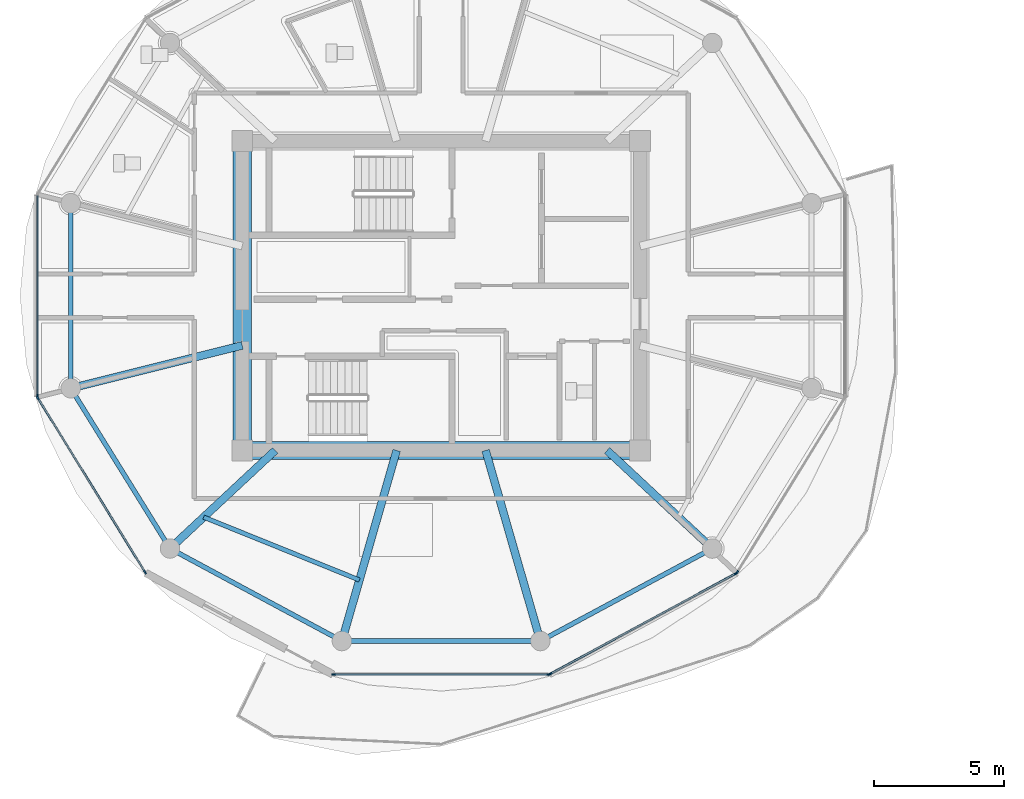
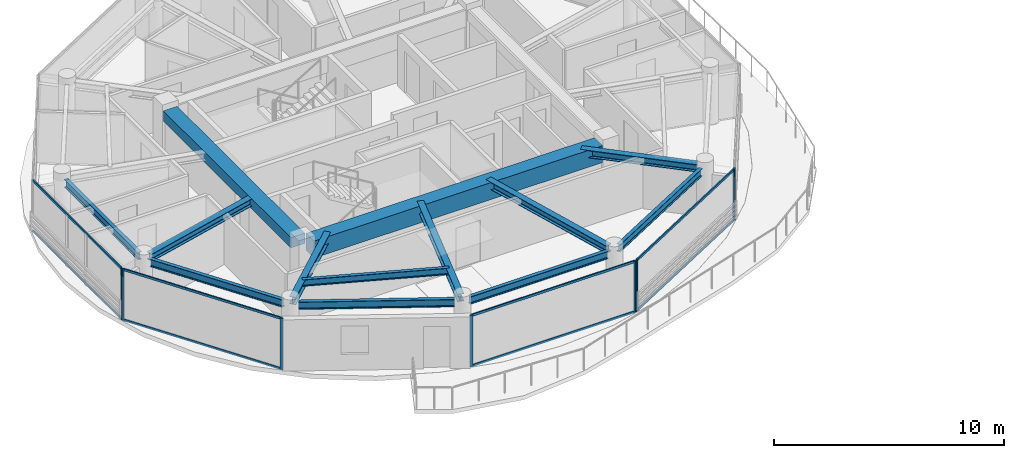
# One storey, part 2 of 21: 16 members, 13 beams, 5 elements without a shape of their own.
"""IFC4 building model written with IfcOpenShell, lengths in metres."""

from ifc_helpers import new_model, si_unit, direction, frame, origin, origin_2d, place, context, subcontext, project, spatial, rectangle, i_section, extrude, source, transform, mapped, material, layer, layer_set, material_profile, profile_set, type_object, type_shapes, element, aggregate, save


model = new_model("IFC4")

# Units and contexts
model_context = context("Model", 3, precision=1e-05, world=origin(), true_north=direction((0.0, 1.0)))
body_context = subcontext(model_context, "Body", "Model", "MODEL_VIEW")
ifc_project = project(units=[si_unit("LENGTHUNIT", "METRE"), si_unit("AREAUNIT", "SQUARE_METRE"), si_unit("VOLUMEUNIT", "CUBIC_METRE"), si_unit("PLANEANGLEUNIT", "RADIAN"), si_unit("MASSUNIT", "GRAM", prefix="KILO")], contexts=[model_context])

# Site, building, storey
site_placement = place(None, origin())
site = spatial("IfcSite", under=ifc_project, at=site_placement, CompositionType="ELEMENT")
building_placement = place(site_placement, origin())
building = spatial("IfcBuilding", under=site, at=building_placement, Name="Norrkilde Senior Care Towers", CompositionType="ELEMENT")
storey_placement = place(building_placement, frame((0.0, 0.0, 241.35009765625)))
storey = spatial("IfcBuildingStorey", under=building, at=storey_placement, Name="L75", CompositionType="ELEMENT", Elevation=241.35009765625)

# Beams
ifc_material_1 = material(Name="Concrete C60/75", Category="concrete")
ifc_material_profile_1 = material_profile(ifc_material_1, rectangle(XDim=0.699951171875, YDim=0.89990234375, at=origin_2d()), Name="RC BM 700x900")
ifc_profile_set_1 = profile_set([ifc_material_profile_1], Name="Concrete C60/75")
beam_type_1 = type_object("IfcBeamType", Name="Core Coupling Girder 700x900", PredefinedType="USERDEFINED", material=ifc_profile_set_1)
shared_shape_1 = source(origin(), body_context, "Body", "SweptSolid", [
    extrude(rectangle(XDim=0.699951171875, YDim=0.89990234375, at=origin_2d()), origin(), (0.0, 0.0, 1.0), 14.5400390625),
])
type_shapes(beam_type_1, [shared_shape_1])
beam_1_placement = place(storey_placement, frame((-35.27001953125, -5.949951171875, 2.27978515625), z_axis=(1.0, 0.0, 0.0), x_axis=(0.0, 1.0, 0.0)))
element("IfcBeam", 1, at=beam_1_placement, inside=storey, type_object=beam_type_1, Name="L75 Core W S Coupling Girder", ObjectType="GIRDER", PredefinedType="USERDEFINED", context=body_context, shape_type="MappedRepresentation", body=[
    mapped(shared_shape_1, transform((0.0, 0.0, 0.0), x_axis=(1.0, 0.0, 0.0), y_axis=(0.0, 1.0, 0.0), z_axis=(0.0, 0.0, 1.0), scale=1.0)),
])
ifc_material_profile_2 = material_profile(ifc_material_1, rectangle(XDim=0.699951171875, YDim=0.550048828125, at=origin_2d()), Name="RC BM 700x550")
ifc_profile_set_2 = profile_set([ifc_material_profile_2], Name="Concrete C60/75")
beam_type_2 = type_object("IfcBeamType", Name="Core Portal Coupling Beam 700x550", PredefinedType="USERDEFINED", material=ifc_profile_set_2)
shared_shape_2 = source(origin(), body_context, "Body", "SweptSolid", [
    extrude(rectangle(XDim=0.699951171875, YDim=0.550048828125, at=origin_2d()), origin(), (0.0, 0.0, 1.0), 11.14013671875),
])
type_shapes(beam_type_2, [shared_shape_2])
beam_2_placement = place(storey_placement, frame((-35.64990234375, -5.570068359375, 2.454833984375), z_axis=(0.0, 1.0, 0.0), x_axis=(-1.0, 0.0, 0.0)))
element("IfcBeam", 2, at=beam_2_placement, inside=storey, type_object=beam_type_2, Name="L75 Core W W Coupling Girder", ObjectType="GIRDER", PredefinedType="USERDEFINED", context=body_context, shape_type="MappedRepresentation", body=[
    mapped(shared_shape_2, transform((0.0, 0.0, 0.0), x_axis=(1.0, 0.0, 0.0), y_axis=(0.0, 1.0, 0.0), z_axis=(0.0, 0.0, 1.0), scale=1.0)),
])
ifc_material_2 = material(Name="Steel S355", Category="steel")
ifc_material_profile_3 = material_profile(ifc_material_2, i_section(OverallWidth=0.179931640625, OverallDepth=0.39990234375, WebThickness=0.008544921875, FlangeThickness=0.013427734375, FilletRadius=0.02099609375, at=origin_2d()), Name="IPE 400")
ifc_profile_set_3 = profile_set([ifc_material_profile_3], Name="Steel S355")
beam_type_3 = type_object("IfcBeamType", Name="Perimeter Ring Spandrel Z4 IPE400", PredefinedType="SPANDREL", material=ifc_profile_set_3)
shared_shape_3 = source(origin(), body_context, "Body", "SweptSolid", [
    extrude(i_section(OverallWidth=0.179931640625, OverallDepth=0.39990234375, WebThickness=0.008544921875, FlangeThickness=0.013427734375, FilletRadius=0.02099609375, at=origin_2d()), origin(), (0.0, 0.0, 1.0), 6.58056640625),
])
beam_3_placement = place(storey_placement, frame((-42.071044921875, -3.843505859375, 2.52978515625), z_axis=(0.526529583789, -0.850156807533, 0.0), x_axis=(0.850156807533, 0.526529583789, 0.0)))
element("IfcBeam", 3, at=beam_3_placement, inside=storey, type_object=beam_type_3, Name="L75 Drum W Perimeter Spandrel 07", PredefinedType="SPANDREL", context=body_context, shape_type="MappedRepresentation", body=[
    mapped(shared_shape_3, transform((0.0, 0.0, 0.0), x_axis=(1.0, 0.0, 0.0), y_axis=(0.0, 1.0, 0.0), z_axis=(0.0, 0.0, 1.0), scale=1.0)),
])
ifc_material_profile_4 = material_profile(ifc_material_2, i_section(OverallWidth=0.300048828125, OverallDepth=0.39990234375, WebThickness=0.013427734375, FlangeThickness=0.02392578125, FilletRadius=0.027099609375, at=origin_2d()), Name="HEB 400")
ifc_profile_set_4 = profile_set([ifc_material_profile_4], Name="Steel S355")
beam_type_4 = type_object("IfcBeamType", Name="Radial Floor Beam Z4 HEB400", PredefinedType="BEAM", material=ifc_profile_set_4)
shared_shape_4 = source(origin(), body_context, "Body", "SweptSolid", [
    extrude(i_section(OverallWidth=0.300048828125, OverallDepth=0.39990234375, WebThickness=0.013427734375, FlangeThickness=0.02392578125, FilletRadius=0.027099609375, at=origin_2d()), origin(), (0.0, 0.0, 1.0), 6.465087890625),
])
beam_4_placement = place(storey_placement, frame((-35.64990234375, -1.910888671875, 2.52978515625), z_axis=(-0.970195788563, -0.242322371758, 0.0), x_axis=(0.242322371758, -0.970195788563, 0.0)))
element("IfcBeam", 4, at=beam_4_placement, inside=storey, type_object=beam_type_4, Name="L75 Drum W Radial Floor Beam 07", PredefinedType="BEAM", context=body_context, shape_type="MappedRepresentation", body=[
    mapped(shared_shape_4, transform((0.0, 0.0, 0.0), x_axis=(1.0, 0.0, 0.0), y_axis=(0.0, 1.0, 0.0), z_axis=(0.0, 0.0, 1.0), scale=1.0)),
])
shared_shape_5 = source(origin(), body_context, "Body", "SweptSolid", [
    extrude(i_section(OverallWidth=0.179931640625, OverallDepth=0.39990234375, WebThickness=0.008544921875, FlangeThickness=0.013427734375, FilletRadius=0.02099609375, at=origin_2d()), origin(), (0.0, 0.0, 1.0), 6.839111328125),
])
for number, where, z_axis, x_axis, name in (
    (5, (-38.134765625, -9.881591796875, 2.52978515625), (0.880563930732, -0.473927382511, 0.0), (0.473927382511, 0.880563930732, 0.0), "L75 Drum W Perimeter Spandrel 08"),
    (6, (-23.887451171875, -13.122802734375, 2.52978515625), (0.880563930732, 0.473927382511, 0.0), (-0.473927382511, 0.880563930732, 0.0), "L75 Drum W Perimeter Spandrel 10"),
):
    element("IfcBeam", number, at=place(storey_placement, frame(where, z_axis=z_axis, x_axis=x_axis)), inside=storey, type_object=beam_type_3, Name=name, PredefinedType="SPANDREL", context=body_context, shape_type="MappedRepresentation", body=[
        mapped(shared_shape_5, transform((0.0, 0.0, 0.0), x_axis=(1.0, 0.0, 0.0), y_axis=(0.0, 1.0, 0.0), z_axis=(0.0, 0.0, 1.0), scale=1.0)),
    ])
shared_shape_6 = source(origin(), body_context, "Body", "SweptSolid", [
    extrude(i_section(OverallWidth=0.300048828125, OverallDepth=0.39990234375, WebThickness=0.013427734375, FlangeThickness=0.02392578125, FilletRadius=0.027099609375, at=origin_2d()), origin(), (0.0, 0.0, 1.0), 5.197998046875),
])
for number, where, z_axis, x_axis, name in (
    (7, (-34.3828125, -5.949951171875, 2.52978515625), (-0.731448749334, -0.681896419625, 0.0), (0.681896419625, -0.731448749334, 0.0), "L75 Drum W Radial Floor Beam 08"),
    (8, (-21.6171875, -5.949951171875, 2.52978515625), (0.731448749334, -0.681896419625, 0.0), (0.681896419625, 0.731448749334, 0.0), "L75 Drum W Radial Floor Beam 11"),
):
    element("IfcBeam", number, at=place(storey_placement, frame(where, z_axis=z_axis, x_axis=x_axis)), inside=storey, type_object=beam_type_4, Name=name, PredefinedType="BEAM", context=body_context, shape_type="MappedRepresentation", body=[
        mapped(shared_shape_6, transform((0.0, 0.0, 0.0), x_axis=(1.0, 0.0, 0.0), y_axis=(0.0, 1.0, 0.0), z_axis=(0.0, 0.0, 1.0), scale=1.0)),
    ])
shared_shape_7 = source(origin(), body_context, "Body", "SweptSolid", [
    extrude(i_section(OverallWidth=0.179931640625, OverallDepth=0.39990234375, WebThickness=0.008544921875, FlangeThickness=0.013427734375, FilletRadius=0.02099609375, at=origin_2d()), origin(), (0.0, 0.0, 1.0), 6.96533203125),
])
beam_5_placement = place(storey_placement, frame((-31.482666015625, -13.281494140625, 2.52978515625), z_axis=(1.0, 0.0, 0.0), x_axis=(0.0, 1.0, 0.0)))
element("IfcBeam", 9, at=beam_5_placement, inside=storey, type_object=beam_type_3, Name="L75 Drum W Perimeter Spandrel 09", PredefinedType="SPANDREL", context=body_context, shape_type="MappedRepresentation", body=[
    mapped(shared_shape_7, transform((0.0, 0.0, 0.0), x_axis=(1.0, 0.0, 0.0), y_axis=(0.0, 1.0, 0.0), z_axis=(0.0, 0.0, 1.0), scale=1.0)),
])
shared_shape_8 = source(origin(), body_context, "Body", "SweptSolid", [
    extrude(i_section(OverallWidth=0.300048828125, OverallDepth=0.39990234375, WebThickness=0.013427734375, FlangeThickness=0.02392578125, FilletRadius=0.027099609375, at=origin_2d()), origin(), (0.0, 0.0, 1.0), 7.29345703125),
])
type_shapes(beam_type_4, [shared_shape_4, shared_shape_6, shared_shape_8])
for number, where, z_axis, x_axis, name in (
    (10, (-29.710205078125, -5.949951171875, 2.52978515625), (-0.276263751906, -0.961081858836, 0.0), (0.961081858836, -0.276263751906, 0.0), "L75 Drum W Radial Floor Beam 09"),
    (11, (-26.289794921875, -5.949951171875, 2.52978515625), (0.276263751906, -0.961081858836, 0.0), (0.961081858836, 0.276263751906, 0.0), "L75 Drum W Radial Floor Beam 10"),
):
    element("IfcBeam", number, at=place(storey_placement, frame(where, z_axis=z_axis, x_axis=x_axis)), inside=storey, type_object=beam_type_4, Name=name, PredefinedType="BEAM", context=body_context, shape_type="MappedRepresentation", body=[
        mapped(shared_shape_8, transform((0.0, 0.0, 0.0), x_axis=(1.0, 0.0, 0.0), y_axis=(0.0, 1.0, 0.0), z_axis=(0.0, 0.0, 1.0), scale=1.0)),
    ])
shared_shape_9 = source(origin(), body_context, "Body", "SweptSolid", [
    extrude(i_section(OverallWidth=0.179931640625, OverallDepth=0.39990234375, WebThickness=0.008544921875, FlangeThickness=0.013427734375, FilletRadius=0.02099609375, at=origin_2d()), origin(), (0.0, 0.0, 1.0), 6.44775390625),
])
type_shapes(beam_type_3, [shared_shape_3, shared_shape_5, shared_shape_7, shared_shape_9])
beam_6_placement = place(storey_placement, frame((-42.247314453125, 3.223876953125, 2.52978515625), z_axis=(0.0, -1.0, 0.0), x_axis=(1.0, 0.0, 0.0)))
element("IfcBeam", 12, at=beam_6_placement, inside=storey, type_object=beam_type_3, Name="L75 Drum W Perimeter Spandrel 06", PredefinedType="SPANDREL", context=body_context, shape_type="MappedRepresentation", body=[
    mapped(shared_shape_9, transform((0.0, 0.0, 0.0), x_axis=(1.0, 0.0, 0.0), y_axis=(0.0, 1.0, 0.0), z_axis=(0.0, 0.0, 1.0), scale=1.0)),
])
ifc_material_profile_5 = material_profile(ifc_material_2, i_section(OverallWidth=0.169921875, OverallDepth=0.360107421875, WebThickness=0.008056640625, FlangeThickness=0.0126953125, FilletRadius=0.01806640625, at=origin_2d()), Name="IPE 360")
ifc_profile_set_5 = profile_set([ifc_material_profile_5], Name="Steel S355")
beam_type_5 = type_object("IfcBeamType", Name="Secondary Floor Joist IPE360", PredefinedType="JOIST", material=ifc_profile_set_5)
shared_shape_10 = source(origin(), body_context, "Body", "SweptSolid", [
    extrude(i_section(OverallWidth=0.169921875, OverallDepth=0.360107421875, WebThickness=0.008056640625, FlangeThickness=0.0126953125, FilletRadius=0.01806640625, at=origin_2d()), origin(), (0.0, 0.0, 1.0), 6.461669921875),
])
type_shapes(beam_type_5, [shared_shape_10])
beam_7_placement = place(storey_placement, frame((-37.134765625, -8.515380859375, 2.5498046875), z_axis=(0.927225942298, -0.374502405772, 0.0), x_axis=(0.374502405772, 0.927225942298, 0.0)))
element("IfcBeam", 13, at=beam_7_placement, inside=storey, type_object=beam_type_5, Name="L75 Drum W Secondary Floor Joist 3", PredefinedType="JOIST", context=body_context, shape_type="MappedRepresentation", body=[
    mapped(shared_shape_10, transform((0.0, 0.0, 0.0), x_axis=(1.0, 0.0, 0.0), y_axis=(0.0, 1.0, 0.0), z_axis=(0.0, 0.0, 1.0), scale=1.0)),
])

# Curtain wall, member
ifc_material_3 = material(Name="Triple Low-E Insulated Glazing", Category="glass")
ifc_layer = layer(ifc_material_3, 0.18505859375)
ifc_layer_set = layer_set([ifc_layer], Name="Triple Low-E Insulated Glazing")
curtain_wall_type = type_object("IfcCurtainWallType", Name="CW6 Zone 4 Crown Pavilion Curtain Wall", PredefinedType="NOTDEFINED", material=ifc_layer_set)
curtain_wall_1_placement = place(storey_placement, origin())
curtain_wall_1 = element("IfcCurtainWall", 14, at=curtain_wall_1_placement, inside=storey, type_object=curtain_wall_type, Name="L75 Drum W Curtain Wall 05", PredefinedType="NOTDEFINED")
ifc_material_4 = material(Name="Anodised Aluminium", Category="aluminium")
ifc_material_profile_6 = material_profile(ifc_material_4, rectangle(XDim=0.06494140625, YDim=0.14990234375, at=origin_2d()), Name="ALU MULL 65x150")
ifc_profile_set_6 = profile_set([ifc_material_profile_6], Name="Anodised Aluminium")
member_type_1 = type_object("IfcMemberType", Name="Curtain Wall Mullion Z3-Z4 65x150", PredefinedType="MULLION", material=ifc_profile_set_6)
shared_shape_11 = source(origin(), body_context, "Body", "SweptSolid", [
    extrude(rectangle(XDim=0.06494140625, YDim=0.14990234375, at=origin_2d()), origin(), (0.0, 0.0, 1.0), 2.72998046875),
])
type_shapes(member_type_1, [shared_shape_11])
member_1_placement = place(storey_placement, frame((-43.531982421875, -3.87060546875, 0.0), z_axis=(0.0, 0.0, 1.0), x_axis=(-1.0, 0.0, 0.0)))
member_1 = element("IfcMember", 15, at=member_1_placement, type_object=member_type_1, Name="CW-6 mullion 1", PredefinedType="MULLION", context=body_context, shape_type="MappedRepresentation", body=[
    mapped(shared_shape_11, transform((0.0, 0.0, 0.0), x_axis=(1.0, 0.0, 0.0), y_axis=(0.0, 1.0, 0.0), z_axis=(0.0, 0.0, 1.0), scale=1.0)),
])

# Curtain wall, members
curtain_wall_2_placement = place(storey_placement, origin())
curtain_wall_2 = element("IfcCurtainWall", 16, at=curtain_wall_2_placement, inside=storey, type_object=curtain_wall_type, Name="L75 Drum W Curtain Wall 06", PredefinedType="NOTDEFINED")
member_2_placement = place(storey_placement, frame((-39.38720703125, -10.635498046875, 0.0), z_axis=(0.0, 0.0, 1.0), x_axis=(-0.851562727283, -0.524252726748, 0.0)))
member_2 = element("IfcMember", 17, at=member_2_placement, type_object=member_type_1, Name="CW-6 mullion 1", PredefinedType="MULLION", context=body_context, shape_type="MappedRepresentation", body=[
    mapped(shared_shape_11, transform((0.0, 0.0, 0.0), x_axis=(1.0, 0.0, 0.0), y_axis=(0.0, 1.0, 0.0), z_axis=(0.0, 0.0, 1.0), scale=1.0)),
])
member_3_placement = place(storey_placement, frame((-43.51513671875, -3.9306640625, 0.0), z_axis=(0.0, 0.0, 1.0), x_axis=(-0.851562727283, -0.524252726748, 0.0)))
member_3 = element("IfcMember", 18, at=member_3_placement, type_object=member_type_1, Name="CW-6 mullion 2", PredefinedType="MULLION", context=body_context, shape_type="MappedRepresentation", body=[
    mapped(shared_shape_11, transform((0.0, 0.0, 0.0), x_axis=(1.0, 0.0, 0.0), y_axis=(0.0, 1.0, 0.0), z_axis=(0.0, 0.0, 1.0), scale=1.0)),
])

curtain_wall_3_placement = place(storey_placement, origin())
curtain_wall_3 = element("IfcCurtainWall", 19, at=curtain_wall_3_placement, inside=storey, type_object=curtain_wall_type, Name="L75 Drum W Curtain Wall 08", PredefinedType="NOTDEFINED")
member_4_placement = place(storey_placement, frame((-23.87060546875, -14.566162109375, 0.0), z_axis=(0.0, 0.0, 1.0), x_axis=(0.0, -1.0, 0.0)))
member_4 = element("IfcMember", 20, at=member_4_placement, type_object=member_type_1, Name="CW-6 mullion 1", PredefinedType="MULLION", context=body_context, shape_type="MappedRepresentation", body=[
    mapped(shared_shape_11, transform((0.0, 0.0, 0.0), x_axis=(1.0, 0.0, 0.0), y_axis=(0.0, 1.0, 0.0), z_axis=(0.0, 0.0, 1.0), scale=1.0)),
])
member_5_placement = place(storey_placement, frame((-32.12939453125, -14.566162109375, 0.0), z_axis=(0.0, 0.0, 1.0), x_axis=(0.0, -1.0, 0.0)))
member_5 = element("IfcMember", 21, at=member_5_placement, type_object=member_type_1, Name="CW-6 mullion 2", PredefinedType="MULLION", context=body_context, shape_type="MappedRepresentation", body=[
    mapped(shared_shape_11, transform((0.0, 0.0, 0.0), x_axis=(1.0, 0.0, 0.0), y_axis=(0.0, 1.0, 0.0), z_axis=(0.0, 0.0, 1.0), scale=1.0)),
])

curtain_wall_4_placement = place(storey_placement, origin())
curtain_wall_4 = element("IfcCurtainWall", 22, at=curtain_wall_4_placement, inside=storey, type_object=curtain_wall_type, Name="L75 Drum W Curtain Wall 09", PredefinedType="NOTDEFINED")
member_6_placement = place(storey_placement, frame((-16.658203125, -10.6787109375, 0.0), z_axis=(0.0, 0.0, 1.0), x_axis=(0.476132676136, -0.879373455772, 0.0)))
member_6 = element("IfcMember", 23, at=member_6_placement, type_object=member_type_1, Name="CW-6 mullion 1", PredefinedType="MULLION", context=body_context, shape_type="MappedRepresentation", body=[
    mapped(shared_shape_11, transform((0.0, 0.0, 0.0), x_axis=(1.0, 0.0, 0.0), y_axis=(0.0, 1.0, 0.0), z_axis=(0.0, 0.0, 1.0), scale=1.0)),
])
member_7_placement = place(storey_placement, frame((-23.8095703125, -14.55078125, 0.0), z_axis=(0.0, 0.0, 1.0), x_axis=(0.476132676136, -0.879373455772, 0.0)))
member_7 = element("IfcMember", 24, at=member_7_placement, type_object=member_type_1, Name="CW-6 mullion 2", PredefinedType="MULLION", context=body_context, shape_type="MappedRepresentation", body=[
    mapped(shared_shape_11, transform((0.0, 0.0, 0.0), x_axis=(1.0, 0.0, 0.0), y_axis=(0.0, 1.0, 0.0), z_axis=(0.0, 0.0, 1.0), scale=1.0)),
])

# Curtain wall, member
curtain_wall_5_placement = place(storey_placement, origin())
curtain_wall_5 = element("IfcCurtainWall", 25, at=curtain_wall_5_placement, inside=storey, type_object=curtain_wall_type, Name="L75 Drum W Curtain Wall 10", PredefinedType="NOTDEFINED")
member_8_placement = place(storey_placement, frame((-16.61279296875, -10.635498046875, 0.0), z_axis=(0.0, 0.0, 1.0), x_axis=(0.851562727283, -0.524252726748, 0.0)))
member_8 = element("IfcMember", 26, at=member_8_placement, type_object=member_type_1, Name="CW-6 mullion 2", PredefinedType="MULLION", context=body_context, shape_type="MappedRepresentation", body=[
    mapped(shared_shape_11, transform((0.0, 0.0, 0.0), x_axis=(1.0, 0.0, 0.0), y_axis=(0.0, 1.0, 0.0), z_axis=(0.0, 0.0, 1.0), scale=1.0)),
])
aggregate(curtain_wall_5, [member_8])

# Member
ifc_material_profile_7 = material_profile(ifc_material_4, rectangle(XDim=0.06005859375, YDim=0.1201171875, at=origin_2d()), Name="ALU TRAN 60x120")
ifc_profile_set_7 = profile_set([ifc_material_profile_7], Name="Anodised Aluminium")
member_type_2 = type_object("IfcMemberType", Name="Curtain Wall Transom Typical 60x120", PredefinedType="USERDEFINED", material=ifc_profile_set_7)
shared_shape_12 = source(origin(), body_context, "Body", "SweptSolid", [
    extrude(rectangle(XDim=0.06005859375, YDim=0.1201171875, at=origin_2d()), origin(), (0.0, 0.0, 1.0), 7.808837890625),
])
member_9_placement = place(storey_placement, frame((-39.404296875, -10.60791015625, 0.02978515625), z_axis=(-0.524250924101, 0.851563837055, 0.0), x_axis=(-0.851563837055, -0.524250924101, 0.0)))
member_9 = element("IfcMember", 27, at=member_9_placement, type_object=member_type_2, Name="CW-6 transom 1.1", ObjectType="TRANSOM", PredefinedType="USERDEFINED", context=body_context, shape_type="MappedRepresentation", body=[
    mapped(shared_shape_12, transform((0.0, 0.0, 0.0), x_axis=(1.0, 0.0, 0.0), y_axis=(0.0, 1.0, 0.0), z_axis=(0.0, 0.0, 1.0), scale=1.0)),
])

member_10_placement = place(storey_placement, frame((-39.404296875, -10.60791015625, 2.699951171875), z_axis=(-0.524250924101, 0.851563837055, 0.0), x_axis=(-0.851563837055, -0.524250924101, 0.0)))
member_10 = element("IfcMember", 28, at=member_10_placement, type_object=member_type_2, Name="CW-6 transom 1.2", ObjectType="TRANSOM", PredefinedType="USERDEFINED", context=body_context, shape_type="MappedRepresentation", body=[
    mapped(shared_shape_12, transform((0.0, 0.0, 0.0), x_axis=(1.0, 0.0, 0.0), y_axis=(0.0, 1.0, 0.0), z_axis=(0.0, 0.0, 1.0), scale=1.0)),
])

aggregate(curtain_wall_2, [member_2, member_3, member_9, member_10])

shared_shape_13 = source(origin(), body_context, "Body", "SweptSolid", [
    extrude(rectangle(XDim=0.06005859375, YDim=0.1201171875, at=origin_2d()), origin(), (0.0, 0.0, 1.0), 8.19384765625),
])
member_11_placement = place(storey_placement, frame((-23.903076171875, -14.566162109375, 0.02978515625), z_axis=(-1.0, 0.0, 0.0), x_axis=(0.0, -1.0, 0.0)))
member_11 = element("IfcMember", 29, at=member_11_placement, type_object=member_type_2, Name="CW-6 transom 1.1", ObjectType="TRANSOM", PredefinedType="USERDEFINED", context=body_context, shape_type="MappedRepresentation", body=[
    mapped(shared_shape_13, transform((0.0, 0.0, 0.0), x_axis=(1.0, 0.0, 0.0), y_axis=(0.0, 1.0, 0.0), z_axis=(0.0, 0.0, 1.0), scale=1.0)),
])

member_12_placement = place(storey_placement, frame((-23.903076171875, -14.566162109375, 2.699951171875), z_axis=(-1.0, 0.0, 0.0), x_axis=(0.0, -1.0, 0.0)))
member_12 = element("IfcMember", 30, at=member_12_placement, type_object=member_type_2, Name="CW-6 transom 1.2", ObjectType="TRANSOM", PredefinedType="USERDEFINED", context=body_context, shape_type="MappedRepresentation", body=[
    mapped(shared_shape_13, transform((0.0, 0.0, 0.0), x_axis=(1.0, 0.0, 0.0), y_axis=(0.0, 1.0, 0.0), z_axis=(0.0, 0.0, 1.0), scale=1.0)),
])

aggregate(curtain_wall_3, [member_4, member_5, member_11, member_12])

shared_shape_14 = source(origin(), body_context, "Body", "SweptSolid", [
    extrude(rectangle(XDim=0.06005859375, YDim=0.1201171875, at=origin_2d()), origin(), (0.0, 0.0, 1.0), 8.0673828125),
])
member_13_placement = place(storey_placement, frame((-16.686767578125, -10.694091796875, 0.02978515625), z_axis=(-0.87937750072, -0.476125205411, 0.0), x_axis=(0.476125205411, -0.87937750072, 0.0)))
member_13 = element("IfcMember", 31, at=member_13_placement, type_object=member_type_2, Name="CW-6 transom 1.1", ObjectType="TRANSOM", PredefinedType="USERDEFINED", context=body_context, shape_type="MappedRepresentation", body=[
    mapped(shared_shape_14, transform((0.0, 0.0, 0.0), x_axis=(1.0, 0.0, 0.0), y_axis=(0.0, 1.0, 0.0), z_axis=(0.0, 0.0, 1.0), scale=1.0)),
])

member_14_placement = place(storey_placement, frame((-16.686767578125, -10.694091796875, 2.699951171875), z_axis=(-0.87937750072, -0.476125205411, 0.0), x_axis=(0.476125205411, -0.87937750072, 0.0)))
member_14 = element("IfcMember", 32, at=member_14_placement, type_object=member_type_2, Name="CW-6 transom 1.2", ObjectType="TRANSOM", PredefinedType="USERDEFINED", context=body_context, shape_type="MappedRepresentation", body=[
    mapped(shared_shape_14, transform((0.0, 0.0, 0.0), x_axis=(1.0, 0.0, 0.0), y_axis=(0.0, 1.0, 0.0), z_axis=(0.0, 0.0, 1.0), scale=1.0)),
])

aggregate(curtain_wall_4, [member_6, member_7, member_13, member_14])

shared_shape_15 = source(origin(), body_context, "Body", "SweptSolid", [
    extrude(rectangle(XDim=0.06005859375, YDim=0.1201171875, at=origin_2d()), origin(), (0.0, 0.0, 1.0), 7.67578125),
])
type_shapes(member_type_2, [shared_shape_12, shared_shape_13, shared_shape_14, shared_shape_15])
member_15_placement = place(storey_placement, frame((-43.531982421875, -3.837890625, 0.02978515625), z_axis=(0.0, 1.0, 0.0), x_axis=(-1.0, 0.0, 0.0)))
member_15 = element("IfcMember", 33, at=member_15_placement, type_object=member_type_2, Name="CW-6 transom 1.1", ObjectType="TRANSOM", PredefinedType="USERDEFINED", context=body_context, shape_type="MappedRepresentation", body=[
    mapped(shared_shape_15, transform((0.0, 0.0, 0.0), x_axis=(1.0, 0.0, 0.0), y_axis=(0.0, 1.0, 0.0), z_axis=(0.0, 0.0, 1.0), scale=1.0)),
])

member_16_placement = place(storey_placement, frame((-43.531982421875, -3.837890625, 2.699951171875), z_axis=(0.0, 1.0, 0.0), x_axis=(-1.0, 0.0, 0.0)))
member_16 = element("IfcMember", 34, at=member_16_placement, type_object=member_type_2, Name="CW-6 transom 1.2", ObjectType="TRANSOM", PredefinedType="USERDEFINED", context=body_context, shape_type="MappedRepresentation", body=[
    mapped(shared_shape_15, transform((0.0, 0.0, 0.0), x_axis=(1.0, 0.0, 0.0), y_axis=(0.0, 1.0, 0.0), z_axis=(0.0, 0.0, 1.0), scale=1.0)),
])

aggregate(curtain_wall_1, [member_1, member_15, member_16])

save(model, "model.ifc")
